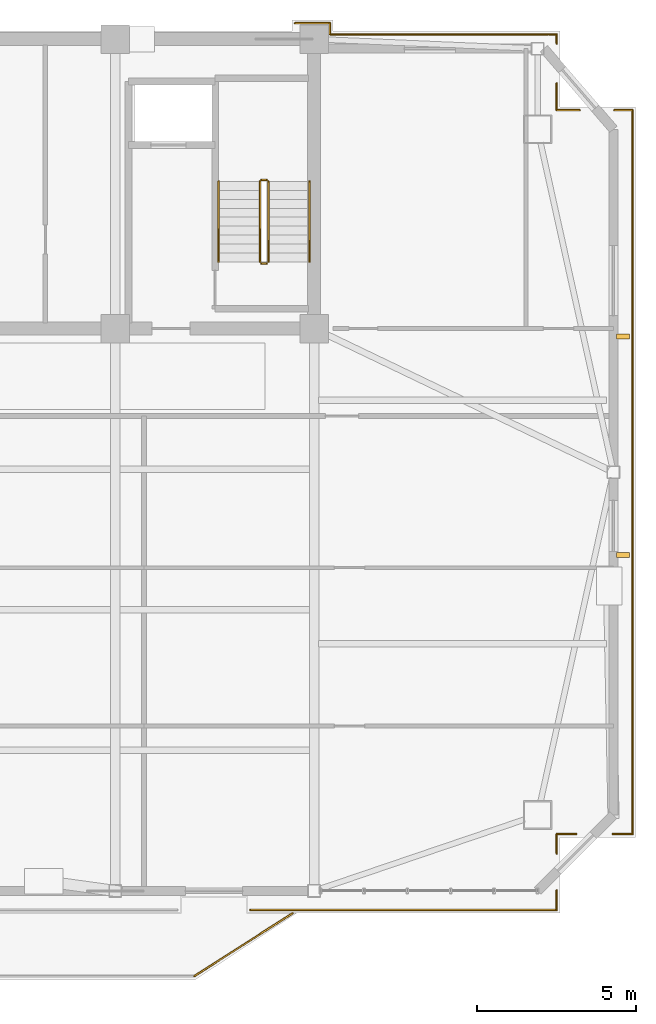
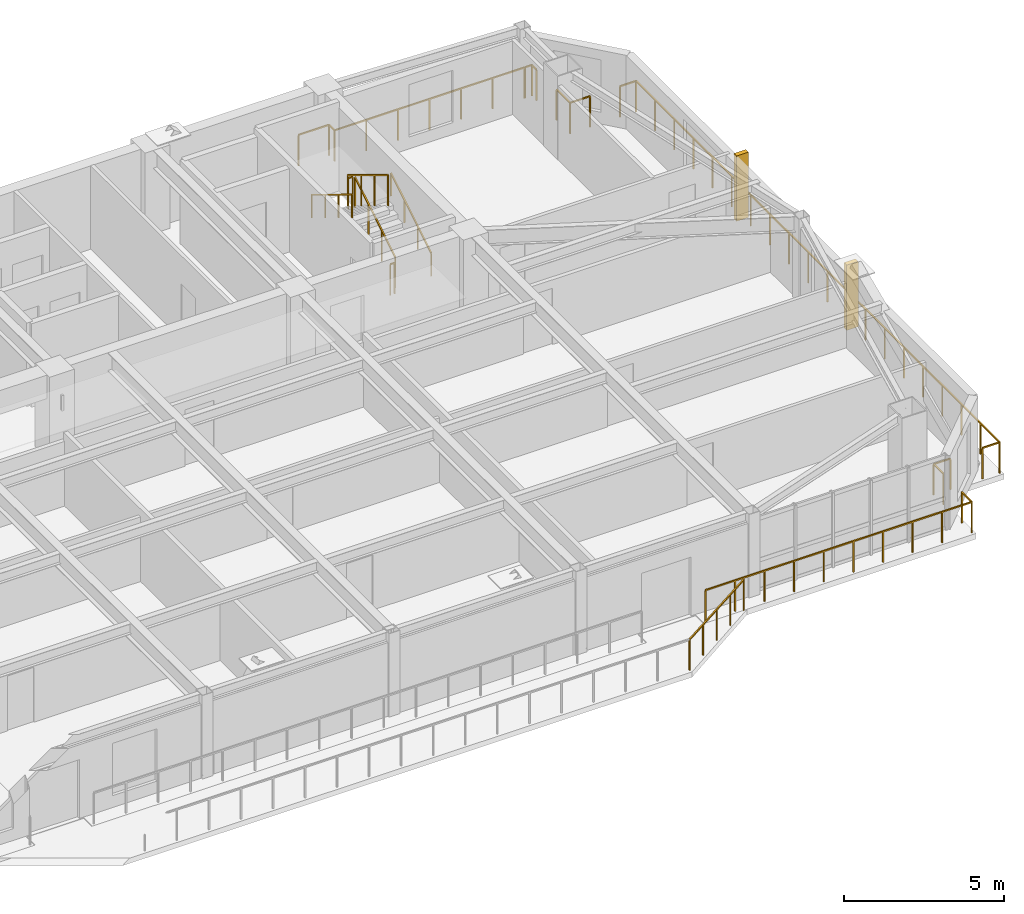
# One storey, part 13 of 13: 21 railings, 2 shading devices.
"""IFC4 building model written with IfcOpenShell, lengths in metres."""

from ifc_helpers import new_model, si_unit, direction, frame, origin, origin_2d, place, context, subcontext, project, spatial, rectangle, extrude, source, transform, mapped, material, type_object, element, save


model = new_model("IFC4")

# Units and contexts
model_context = context("Model", 3, precision=1e-05, world=origin(), true_north=direction((0.0, 1.0)))
body_context = subcontext(model_context, "Body", "Model", "MODEL_VIEW")
ifc_project = project(units=[si_unit("LENGTHUNIT", "METRE"), si_unit("AREAUNIT", "SQUARE_METRE"), si_unit("VOLUMEUNIT", "CUBIC_METRE"), si_unit("PLANEANGLEUNIT", "RADIAN"), si_unit("MASSUNIT", "GRAM", prefix="KILO")], contexts=[model_context])

# Site, building, storey
site_placement = place(None, origin())
site = spatial("IfcSite", under=ifc_project, at=site_placement, CompositionType="ELEMENT")
building_placement = place(site_placement, origin())
building = spatial("IfcBuilding", under=site, at=building_placement, Name="Giltprow Tower", CompositionType="ELEMENT")
storey_placement = place(building_placement, frame((0.0, 0.0, 304.0)))
storey = spatial("IfcBuildingStorey", under=building, at=storey_placement, Name="L78", CompositionType="ELEMENT", Elevation=304.0)

# Railings
ifc_material = material(Name="Anodized bronze", Category="metal")
railing_type_1 = type_object("IfcRailingType", Name="RAIL-BALC-GUARD-1200", PredefinedType="BALUSTRADE", material=ifc_material)
railing_1_placement = place(storey_placement, frame((46.780029296875, 17.092041015625, 0.0)))
element("IfcRailing", 1, at=railing_1_placement, inside=storey, type_object=railing_type_1, Name="L78 Waterfront Balcony Balustrade Seg 3", PredefinedType="BALUSTRADE", context=body_context, shape_type="SweptSolid", body=[
    extrude(rectangle(XDim=0.048095703125, YDim=0.048095703125, at=origin_2d()), frame((0.0, 0.0, 1.17578125), z_axis=(0.842755646126, 0.538296313309, 0.0), x_axis=(-0.538296313309, 0.842755646126, 0.0)), (0.0, 0.0, 1.0), 3.67822265625),
    extrude(rectangle(XDim=0.0419921875, YDim=0.0419921875, at=origin_2d()), origin(), (0.0, 0.0, 1.0), 1.15185546875),
    extrude(rectangle(XDim=0.0419921875, YDim=0.0419921875, at=origin_2d()), frame((0.77490234375, 0.4951171875, 0.0)), (0.0, 0.0, 1.0), 1.15185546875),
    extrude(rectangle(XDim=0.0419921875, YDim=0.0419921875, at=origin_2d()), frame((1.5498046875, 0.989990234375, 0.0)), (0.0, 0.0, 1.0), 1.15185546875),
    extrude(rectangle(XDim=0.0419921875, YDim=0.0419921875, at=origin_2d()), frame((2.324951171875, 1.48486328125, 0.0)), (0.0, 0.0, 1.0), 1.15185546875),
    extrude(rectangle(XDim=0.0419921875, YDim=0.0419921875, at=origin_2d()), frame((3.099853515625, 1.97998046875, 0.0)), (0.0, 0.0, 1.0), 1.15185546875),
])
railing_2_placement = place(storey_placement, frame((60.56005859375, 44.31494140625, 0.0)))
element("IfcRailing", 2, at=railing_2_placement, inside=storey, type_object=railing_type_1, Name="L78 Corner Apron Edge Balustrade 1", PredefinedType="BALUSTRADE", context=body_context, shape_type="SweptSolid", body=[
    extrude(rectangle(XDim=0.048095703125, YDim=0.048095703125, at=origin_2d()), frame((0.0, 0.0, 1.17578125), z_axis=(0.0, -1.0, 0.0), x_axis=(1.0, 0.0, 0.0)), (0.0, 0.0, 1.0), 22.758056640625),
    extrude(rectangle(XDim=0.0419921875, YDim=0.0419921875, at=origin_2d()), origin(), (0.0, 0.0, 1.0), 1.15185546875),
    extrude(rectangle(XDim=0.0419921875, YDim=0.0419921875, at=origin_2d()), frame((0.0, -1.19775390625, 0.0)), (0.0, 0.0, 1.0), 1.15185546875),
    extrude(rectangle(XDim=0.0419921875, YDim=0.0419921875, at=origin_2d()), frame((0.0, -2.3955078125, 0.0)), (0.0, 0.0, 1.0), 1.15185546875),
    extrude(rectangle(XDim=0.0419921875, YDim=0.0419921875, at=origin_2d()), frame((0.0, -3.59326171875, 0.0)), (0.0, 0.0, 1.0), 1.15185546875),
    extrude(rectangle(XDim=0.0419921875, YDim=0.0419921875, at=origin_2d()), frame((0.0, -4.791259765625, 0.0)), (0.0, 0.0, 1.0), 1.15185546875),
    extrude(rectangle(XDim=0.0419921875, YDim=0.0419921875, at=origin_2d()), frame((0.0, -5.989013671875, 0.0)), (0.0, 0.0, 1.0), 1.15185546875),
    extrude(rectangle(XDim=0.0419921875, YDim=0.0419921875, at=origin_2d()), frame((0.0, -7.186767578125, 0.0)), (0.0, 0.0, 1.0), 1.15185546875),
    extrude(rectangle(XDim=0.0419921875, YDim=0.0419921875, at=origin_2d()), frame((0.0, -8.384521484375, 0.0)), (0.0, 0.0, 1.0), 1.15185546875),
    extrude(rectangle(XDim=0.0419921875, YDim=0.0419921875, at=origin_2d()), frame((0.0, -9.582275390625, 0.0)), (0.0, 0.0, 1.0), 1.15185546875),
    extrude(rectangle(XDim=0.0419921875, YDim=0.0419921875, at=origin_2d()), frame((0.0, -10.780029296875, 0.0)), (0.0, 0.0, 1.0), 1.15185546875),
    extrude(rectangle(XDim=0.0419921875, YDim=0.0419921875, at=origin_2d()), frame((0.0, -11.97802734375, 0.0)), (0.0, 0.0, 1.0), 1.15185546875),
    extrude(rectangle(XDim=0.0419921875, YDim=0.0419921875, at=origin_2d()), frame((0.0, -13.17578125, 0.0)), (0.0, 0.0, 1.0), 1.15185546875),
    extrude(rectangle(XDim=0.0419921875, YDim=0.0419921875, at=origin_2d()), frame((0.0, -14.37353515625, 0.0)), (0.0, 0.0, 1.0), 1.15185546875),
    extrude(rectangle(XDim=0.0419921875, YDim=0.0419921875, at=origin_2d()), frame((0.0, -15.5712890625, 0.0)), (0.0, 0.0, 1.0), 1.15185546875),
    extrude(rectangle(XDim=0.0419921875, YDim=0.0419921875, at=origin_2d()), frame((0.0, -16.76904296875, 0.0)), (0.0, 0.0, 1.0), 1.15185546875),
    extrude(rectangle(XDim=0.0419921875, YDim=0.0419921875, at=origin_2d()), frame((0.0, -17.966796875, 0.0)), (0.0, 0.0, 1.0), 1.15185546875),
    extrude(rectangle(XDim=0.0419921875, YDim=0.0419921875, at=origin_2d()), frame((0.0, -19.164794921875, 0.0)), (0.0, 0.0, 1.0), 1.15185546875),
    extrude(rectangle(XDim=0.0419921875, YDim=0.0419921875, at=origin_2d()), frame((0.0, -20.362548828125, 0.0)), (0.0, 0.0, 1.0), 1.15185546875),
    extrude(rectangle(XDim=0.0419921875, YDim=0.0419921875, at=origin_2d()), frame((0.0, -21.560302734375, 0.0)), (0.0, 0.0, 1.0), 1.15185546875),
    extrude(rectangle(XDim=0.0419921875, YDim=0.0419921875, at=origin_2d()), frame((0.0, -22.758056640625, 0.0)), (0.0, 0.0, 1.0), 1.15185546875),
])
railing_3_placement = place(storey_placement, frame((60.56005859375, 21.556884765625, 0.0)))
element("IfcRailing", 3, at=railing_3_placement, inside=storey, type_object=railing_type_1, Name="L78 Corner Apron Edge Balustrade 2", PredefinedType="BALUSTRADE", context=body_context, shape_type="SweptSolid", body=[
    extrude(rectangle(XDim=0.048095703125, YDim=0.048095703125, at=origin_2d()), frame((0.0, 0.0, 1.17578125), z_axis=(-1.0, 0.0, 0.0), x_axis=(0.0, -1.0, 0.0)), (0.0, 0.0, 1.0), 0.6201171875),
    extrude(rectangle(XDim=0.0419921875, YDim=0.0419921875, at=origin_2d()), origin(), (0.0, 0.0, 1.0), 1.15185546875),
    extrude(rectangle(XDim=0.0419921875, YDim=0.0419921875, at=origin_2d()), frame((-0.6201171875, 0.0, 0.0)), (0.0, 0.0, 1.0), 1.15185546875),
])
railing_4_placement = place(storey_placement, frame((58.780029296875, 21.556884765625, 0.0)))
element("IfcRailing", 4, at=railing_4_placement, inside=storey, type_object=railing_type_1, Name="L78 Corner Apron Edge Balustrade 3", PredefinedType="BALUSTRADE", context=body_context, shape_type="SweptSolid", body=[
    extrude(rectangle(XDim=0.048095703125, YDim=0.048095703125, at=origin_2d()), frame((0.0, 0.0, 1.17578125), z_axis=(-1.0, 0.0, 0.0), x_axis=(0.0, -1.0, 0.0)), (0.0, 0.0, 1.0), 0.60400390625),
    extrude(rectangle(XDim=0.0419921875, YDim=0.0419921875, at=origin_2d()), origin(), (0.0, 0.0, 1.0), 1.15185546875),
    extrude(rectangle(XDim=0.0419921875, YDim=0.0419921875, at=origin_2d()), frame((-0.60400390625, 0.0, 0.0)), (0.0, 0.0, 1.0), 1.15185546875),
])
railing_5_placement = place(storey_placement, frame((58.176025390625, 21.556884765625, 0.0)))
element("IfcRailing", 5, at=railing_5_placement, inside=storey, type_object=railing_type_1, Name="L78 Corner Apron Edge Balustrade 4", PredefinedType="BALUSTRADE", context=body_context, shape_type="SweptSolid", body=[
    extrude(rectangle(XDim=0.048095703125, YDim=0.048095703125, at=origin_2d()), frame((0.0, 0.0, 1.17578125), z_axis=(0.0, -1.0, 0.0), x_axis=(1.0, 0.0, 0.0)), (0.0, 0.0, 1.0), 0.60400390625),
    extrude(rectangle(XDim=0.0419921875, YDim=0.0419921875, at=origin_2d()), origin(), (0.0, 0.0, 1.0), 1.15185546875),
    extrude(rectangle(XDim=0.0419921875, YDim=0.0419921875, at=origin_2d()), frame((0.0, -0.60400390625, 0.0)), (0.0, 0.0, 1.0), 1.15185546875),
])
railing_6_placement = place(storey_placement, frame((58.176025390625, 19.79296875, 0.0)))
element("IfcRailing", 6, at=railing_6_placement, inside=storey, type_object=railing_type_1, Name="L78 Corner Apron Edge Balustrade 5", PredefinedType="BALUSTRADE", context=body_context, shape_type="SweptSolid", body=[
    extrude(rectangle(XDim=0.048095703125, YDim=0.048095703125, at=origin_2d()), frame((0.0, 0.0, 1.17578125), z_axis=(0.0, -1.0, 0.0), x_axis=(1.0, 0.0, 0.0)), (0.0, 0.0, 1.0), 0.620849609375),
    extrude(rectangle(XDim=0.0419921875, YDim=0.0419921875, at=origin_2d()), origin(), (0.0, 0.0, 1.0), 1.15185546875),
    extrude(rectangle(XDim=0.0419921875, YDim=0.0419921875, at=origin_2d()), frame((0.0, -0.620849609375, 0.0)), (0.0, 0.0, 1.0), 1.15185546875),
])
railing_7_placement = place(storey_placement, frame((58.176025390625, 19.172119140625, 0.0)))
element("IfcRailing", 7, at=railing_7_placement, inside=storey, type_object=railing_type_1, Name="L78 Corner Apron Edge Balustrade 6", PredefinedType="BALUSTRADE", context=body_context, shape_type="SweptSolid", body=[
    extrude(rectangle(XDim=0.048095703125, YDim=0.048095703125, at=origin_2d()), frame((0.0, 0.0, 1.17578125), z_axis=(-1.0, 0.0, 0.0), x_axis=(0.0, -1.0, 0.0)), (0.0, 0.0, 1.0), 9.6259765625),
    extrude(rectangle(XDim=0.0419921875, YDim=0.0419921875, at=origin_2d()), origin(), (0.0, 0.0, 1.0), 1.15185546875),
    extrude(rectangle(XDim=0.0419921875, YDim=0.0419921875, at=origin_2d()), frame((-1.069580078125, 0.0, 0.0)), (0.0, 0.0, 1.0), 1.15185546875),
    extrude(rectangle(XDim=0.0419921875, YDim=0.0419921875, at=origin_2d()), frame((-2.13916015625, 0.0, 0.0)), (0.0, 0.0, 1.0), 1.15185546875),
    extrude(rectangle(XDim=0.0419921875, YDim=0.0419921875, at=origin_2d()), frame((-3.208740234375, 0.0, 0.0)), (0.0, 0.0, 1.0), 1.15185546875),
    extrude(rectangle(XDim=0.0419921875, YDim=0.0419921875, at=origin_2d()), frame((-4.2783203125, 0.0, 0.0)), (0.0, 0.0, 1.0), 1.15185546875),
    extrude(rectangle(XDim=0.0419921875, YDim=0.0419921875, at=origin_2d()), frame((-5.34765625, 0.0, 0.0)), (0.0, 0.0, 1.0), 1.15185546875),
    extrude(rectangle(XDim=0.0419921875, YDim=0.0419921875, at=origin_2d()), frame((-6.417236328125, 0.0, 0.0)), (0.0, 0.0, 1.0), 1.15185546875),
    extrude(rectangle(XDim=0.0419921875, YDim=0.0419921875, at=origin_2d()), frame((-7.48681640625, 0.0, 0.0)), (0.0, 0.0, 1.0), 1.15185546875),
    extrude(rectangle(XDim=0.0419921875, YDim=0.0419921875, at=origin_2d()), frame((-8.556396484375, 0.0, 0.0)), (0.0, 0.0, 1.0), 1.15185546875),
    extrude(rectangle(XDim=0.0419921875, YDim=0.0419921875, at=origin_2d()), frame((-9.6259765625, 0.0, 0.0)), (0.0, 0.0, 1.0), 1.15185546875),
])
railing_8_placement = place(storey_placement, frame((49.949951171875, 47.050048828125, 0.0)))
element("IfcRailing", 8, at=railing_8_placement, inside=storey, type_object=railing_type_1, Name="L78 Corner Apron Edge Balustrade 22", PredefinedType="BALUSTRADE", context=body_context, shape_type="SweptSolid", body=[
    extrude(rectangle(XDim=0.048095703125, YDim=0.048095703125, at=origin_2d()), frame((0.0, 0.0, 1.17578125), z_axis=(1.0, 0.0, 0.0), x_axis=(0.0, 1.0, 0.0)), (0.0, 0.0, 1.0), 1.10009765625),
    extrude(rectangle(XDim=0.0419921875, YDim=0.0419921875, at=origin_2d()), origin(), (0.0, 0.0, 1.0), 1.15185546875),
    extrude(rectangle(XDim=0.0419921875, YDim=0.0419921875, at=origin_2d()), frame((1.10009765625, 0.0, 0.0)), (0.0, 0.0, 1.0), 1.15185546875),
])
railing_9_placement = place(storey_placement, frame((51.050048828125, 47.050048828125, 0.0)))
element("IfcRailing", 9, at=railing_9_placement, inside=storey, type_object=railing_type_1, Name="L78 Corner Apron Edge Balustrade 23", PredefinedType="BALUSTRADE", context=body_context, shape_type="SweptSolid", body=[
    extrude(rectangle(XDim=0.048095703125, YDim=0.048095703125, at=origin_2d()), frame((0.0, 0.0, 1.17578125), z_axis=(0.0, -1.0, 0.0), x_axis=(1.0, 0.0, 0.0)), (0.0, 0.0, 1.0), 0.35009765625),
    extrude(rectangle(XDim=0.0419921875, YDim=0.0419921875, at=origin_2d()), origin(), (0.0, 0.0, 1.0), 1.15185546875),
    extrude(rectangle(XDim=0.0419921875, YDim=0.0419921875, at=origin_2d()), frame((0.0, -0.35009765625, 0.0)), (0.0, 0.0, 1.0), 1.15185546875),
])
railing_10_placement = place(storey_placement, frame((51.050048828125, 46.699951171875, 0.0)))
element("IfcRailing", 10, at=railing_10_placement, inside=storey, type_object=railing_type_1, Name="L78 Corner Apron Edge Balustrade 24", PredefinedType="BALUSTRADE", context=body_context, shape_type="SweptSolid", body=[
    extrude(rectangle(XDim=0.048095703125, YDim=0.048095703125, at=origin_2d()), frame((0.0, 0.0, 1.17578125), z_axis=(1.0, 0.0, 0.0), x_axis=(0.0, 1.0, 0.0)), (0.0, 0.0, 1.0), 6.848876953125),
    extrude(rectangle(XDim=0.0419921875, YDim=0.0419921875, at=origin_2d()), origin(), (0.0, 0.0, 1.0), 1.15185546875),
    extrude(rectangle(XDim=0.0419921875, YDim=0.0419921875, at=origin_2d()), frame((1.1416015625, 0.0, 0.0)), (0.0, 0.0, 1.0), 1.15185546875),
    extrude(rectangle(XDim=0.0419921875, YDim=0.0419921875, at=origin_2d()), frame((2.282958984375, 0.0, 0.0)), (0.0, 0.0, 1.0), 1.15185546875),
    extrude(rectangle(XDim=0.0419921875, YDim=0.0419921875, at=origin_2d()), frame((3.42431640625, 0.0, 0.0)), (0.0, 0.0, 1.0), 1.15185546875),
    extrude(rectangle(XDim=0.0419921875, YDim=0.0419921875, at=origin_2d()), frame((4.56591796875, 0.0, 0.0)), (0.0, 0.0, 1.0), 1.15185546875),
    extrude(rectangle(XDim=0.0419921875, YDim=0.0419921875, at=origin_2d()), frame((5.70751953125, 0.0, 0.0)), (0.0, 0.0, 1.0), 1.15185546875),
    extrude(rectangle(XDim=0.0419921875, YDim=0.0419921875, at=origin_2d()), frame((6.848876953125, 0.0, 0.0)), (0.0, 0.0, 1.0), 1.15185546875),
])
railing_11_placement = place(storey_placement, frame((57.927978515625, 46.699951171875, 0.0)))
element("IfcRailing", 11, at=railing_11_placement, inside=storey, type_object=railing_type_1, Name="L78 Corner Apron Edge Balustrade 25", PredefinedType="BALUSTRADE", context=body_context, shape_type="SweptSolid", body=[
    extrude(rectangle(XDim=0.048095703125, YDim=0.048095703125, at=origin_2d()), frame((0.0, 0.0, 1.17578125), z_axis=(1.0, 0.0, 0.0), x_axis=(0.0, 1.0, 0.0)), (0.0, 0.0, 1.0), 0.248046875),
    extrude(rectangle(XDim=0.0419921875, YDim=0.0419921875, at=origin_2d()), origin(), (0.0, 0.0, 1.0), 1.15185546875),
    extrude(rectangle(XDim=0.0419921875, YDim=0.0419921875, at=origin_2d()), frame((0.248046875, 0.0, 0.0)), (0.0, 0.0, 1.0), 1.15185546875),
])
railing_12_placement = place(storey_placement, frame((58.176025390625, 46.699951171875, 0.0)))
element("IfcRailing", 12, at=railing_12_placement, inside=storey, type_object=railing_type_1, Name="L78 Corner Apron Edge Balustrade 26", PredefinedType="BALUSTRADE", context=body_context, shape_type="SweptSolid", body=[
    extrude(rectangle(XDim=0.048095703125, YDim=0.048095703125, at=origin_2d()), frame((0.0, 0.0, 1.17578125), z_axis=(0.0, -1.0, 0.0), x_axis=(1.0, 0.0, 0.0)), (0.0, 0.0, 1.0), 0.286865234375),
    extrude(rectangle(XDim=0.0419921875, YDim=0.0419921875, at=origin_2d()), origin(), (0.0, 0.0, 1.0), 1.15185546875),
    extrude(rectangle(XDim=0.0419921875, YDim=0.0419921875, at=origin_2d()), frame((0.0, -0.286865234375, 0.0)), (0.0, 0.0, 1.0), 1.15185546875),
])
railing_13_placement = place(storey_placement, frame((58.176025390625, 45.156982421875, 0.0)))
element("IfcRailing", 13, at=railing_13_placement, inside=storey, type_object=railing_type_1, Name="L78 Corner Apron Edge Balustrade 27", PredefinedType="BALUSTRADE", context=body_context, shape_type="SweptSolid", body=[
    extrude(rectangle(XDim=0.048095703125, YDim=0.048095703125, at=origin_2d()), frame((0.0, 0.0, 1.17578125), z_axis=(0.0, -1.0, 0.0), x_axis=(1.0, 0.0, 0.0)), (0.0, 0.0, 1.0), 0.842041015625),
    extrude(rectangle(XDim=0.0419921875, YDim=0.0419921875, at=origin_2d()), origin(), (0.0, 0.0, 1.0), 1.15185546875),
    extrude(rectangle(XDim=0.0419921875, YDim=0.0419921875, at=origin_2d()), frame((0.0, -0.842041015625, 0.0)), (0.0, 0.0, 1.0), 1.15185546875),
])
railing_14_placement = place(storey_placement, frame((58.176025390625, 44.31494140625, 0.0)))
element("IfcRailing", 14, at=railing_14_placement, inside=storey, type_object=railing_type_1, Name="L78 Corner Apron Edge Balustrade 28", PredefinedType="BALUSTRADE", context=body_context, shape_type="SweptSolid", body=[
    extrude(rectangle(XDim=0.048095703125, YDim=0.048095703125, at=origin_2d()), frame((0.0, 0.0, 1.17578125), z_axis=(1.0, 0.0, 0.0), x_axis=(0.0, 1.0, 0.0)), (0.0, 0.0, 1.0), 0.72607421875),
    extrude(rectangle(XDim=0.0419921875, YDim=0.0419921875, at=origin_2d()), origin(), (0.0, 0.0, 1.0), 1.15185546875),
    extrude(rectangle(XDim=0.0419921875, YDim=0.0419921875, at=origin_2d()), frame((0.72607421875, 0.0, 0.0)), (0.0, 0.0, 1.0), 1.15185546875),
])
railing_15_placement = place(storey_placement, frame((59.98388671875, 44.31494140625, 0.0)))
element("IfcRailing", 15, at=railing_15_placement, inside=storey, type_object=railing_type_1, Name="L78 Corner Apron Edge Balustrade 29", PredefinedType="BALUSTRADE", context=body_context, shape_type="SweptSolid", body=[
    extrude(rectangle(XDim=0.048095703125, YDim=0.048095703125, at=origin_2d()), frame((0.0, 0.0, 1.17578125), z_axis=(1.0, 0.0, 0.0), x_axis=(0.0, 1.0, 0.0)), (0.0, 0.0, 1.0), 0.576171875),
    extrude(rectangle(XDim=0.0419921875, YDim=0.0419921875, at=origin_2d()), origin(), (0.0, 0.0, 1.0), 1.15185546875),
    extrude(rectangle(XDim=0.0419921875, YDim=0.0419921875, at=origin_2d()), frame((0.576171875, 0.0, 0.0)), (0.0, 0.0, 1.0), 1.15185546875),
])
railing_type_2 = type_object("IfcRailingType", Name="RAIL-STAIR-GUARD-1200", PredefinedType="GUARDRAIL", material=ifc_material)
railing_16_placement = place(storey_placement, frame((49.110107421875, 39.550048828125, 0.169921875)))
element("IfcRailing", 16, at=railing_16_placement, inside=storey, type_object=railing_type_2, Name="L78 ST-3 stair guard 1", PredefinedType="GUARDRAIL", context=body_context, shape_type="SweptSolid", body=[
    extrude(rectangle(XDim=0.048095703125, YDim=0.048095703125, at=origin_2d()), frame((0.0, 0.0, 1.17578125), z_axis=(0.0, 0.85478489116, 0.518982456201), x_axis=(-1.0, 0.0, 0.0)), (0.0, 0.0, 1.0), 2.9482421875),
    extrude(rectangle(XDim=0.0419921875, YDim=0.0419921875, at=origin_2d()), origin(), (0.0, 0.0, 1.0), 1.15185546875),
    extrude(rectangle(XDim=0.0419921875, YDim=0.0419921875, at=origin_2d()), frame((0.0, 0.840087890625, 0.510009765625)), (0.0, 0.0, 1.0), 1.15185546875),
    extrude(rectangle(XDim=0.0419921875, YDim=0.0419921875, at=origin_2d()), frame((0.0, 1.679931640625, 1.02001953125)), (0.0, 0.0, 1.0), 1.15185546875),
    extrude(rectangle(XDim=0.0419921875, YDim=0.0419921875, at=origin_2d()), frame((0.0, 2.52001953125, 1.530029296875)), (0.0, 0.0, 1.0), 1.15185546875),
])
railing_17_placement = place(storey_placement, frame((49.06005859375, 42.1201171875, 1.699951171875)))
element("IfcRailing", 17, at=railing_17_placement, inside=storey, type_object=railing_type_2, Name="L78 ST-3 stair guard 2", PredefinedType="GUARDRAIL", context=body_context, shape_type="SweptSolid", body=[
    extrude(rectangle(XDim=0.048095703125, YDim=0.048095703125, at=origin_2d()), frame((0.0, 0.0, 1.17578125), z_axis=(-1.0, 0.0, 0.0), x_axis=(0.0, -1.0, 0.0)), (0.0, 0.0, 1.0), 0.16015625),
    extrude(rectangle(XDim=0.0419921875, YDim=0.0419921875, at=origin_2d()), origin(), (0.0, 0.0, 1.0), 1.15185546875),
    extrude(rectangle(XDim=0.0419921875, YDim=0.0419921875, at=origin_2d()), frame((-0.16015625, 0.0, 0.0)), (0.0, 0.0, 1.0), 1.15185546875),
])
railing_18_placement = place(storey_placement, frame((48.85009765625, 42.070068359375, 1.8701171875)))
element("IfcRailing", 18, at=railing_18_placement, inside=storey, type_object=railing_type_2, Name="L78 ST-3 stair guard 3", PredefinedType="GUARDRAIL", context=body_context, shape_type="SweptSolid", body=[
    extrude(rectangle(XDim=0.048095703125, YDim=0.048095703125, at=origin_2d()), frame((0.0, 0.0, 1.17578125), z_axis=(0.0, -0.854821627497, 0.518921945155), x_axis=(1.0, 0.0, 0.0)), (0.0, 0.0, 1.0), 2.947998046875),
    extrude(rectangle(XDim=0.0419921875, YDim=0.0419921875, at=origin_2d()), origin(), (0.0, 0.0, 1.0), 1.15185546875),
    extrude(rectangle(XDim=0.0419921875, YDim=0.0419921875, at=origin_2d()), frame((0.0, -0.840087890625, 0.510009765625)), (0.0, 0.0, 1.0), 1.15185546875),
    extrude(rectangle(XDim=0.0419921875, YDim=0.0419921875, at=origin_2d()), frame((0.0, -1.679931640625, 1.019775390625)), (0.0, 0.0, 1.0), 1.15185546875),
    extrude(rectangle(XDim=0.0419921875, YDim=0.0419921875, at=origin_2d()), frame((0.0, -2.52001953125, 1.52978515625)), (0.0, 0.0, 1.0), 1.15185546875),
])
railing_19_placement = place(storey_placement, frame((49.06005859375, 39.5, 0.0)))
element("IfcRailing", 19, at=railing_19_placement, inside=storey, type_object=railing_type_2, Name="L78 ST-3 stair guard 4", PredefinedType="GUARDRAIL", context=body_context, shape_type="SweptSolid", body=[
    extrude(rectangle(XDim=0.048095703125, YDim=0.048095703125, at=origin_2d()), frame((0.0, 0.0, 1.17578125), z_axis=(-1.0, 0.0, 0.0), x_axis=(0.0, -1.0, 0.0)), (0.0, 0.0, 1.0), 0.16015625),
    extrude(rectangle(XDim=0.0419921875, YDim=0.0419921875, at=origin_2d()), origin(), (0.0, 0.0, 1.0), 1.15185546875),
    extrude(rectangle(XDim=0.0419921875, YDim=0.0419921875, at=origin_2d()), frame((-0.16015625, 0.0, 0.0)), (0.0, 0.0, 1.0), 1.15185546875),
])
railing_type_3 = type_object("IfcRailingType", Name="RAIL-STAIR-HAND-900", PredefinedType="HANDRAIL", material=ifc_material)
railing_20_placement = place(storey_placement, frame((50.409912109375, 39.550048828125, 0.169921875)))
element("IfcRailing", 20, at=railing_20_placement, inside=storey, type_object=railing_type_3, Name="L78 ST-3 stair handrail 1", PredefinedType="HANDRAIL", context=body_context, shape_type="SweptSolid", body=[
    extrude(rectangle(XDim=0.048095703125, YDim=0.048095703125, at=origin_2d()), frame((0.0, 0.0, 0.8759765625), z_axis=(0.0, 0.85478489116, 0.518982456201), x_axis=(-1.0, 0.0, 0.0)), (0.0, 0.0, 1.0), 2.9482421875),
    extrude(rectangle(XDim=0.0419921875, YDim=0.0419921875, at=origin_2d()), origin(), (0.0, 0.0, 1.0), 0.851806640625),
    extrude(rectangle(XDim=0.0419921875, YDim=0.0419921875, at=origin_2d()), frame((0.0, 0.840087890625, 0.510009765625)), (0.0, 0.0, 1.0), 0.851806640625),
    extrude(rectangle(XDim=0.0419921875, YDim=0.0419921875, at=origin_2d()), frame((0.0, 1.679931640625, 1.02001953125)), (0.0, 0.0, 1.0), 0.851806640625),
    extrude(rectangle(XDim=0.0419921875, YDim=0.0419921875, at=origin_2d()), frame((0.0, 2.52001953125, 1.530029296875)), (0.0, 0.0, 1.0), 0.851806640625),
])
railing_21_placement = place(storey_placement, frame((47.550048828125, 42.070068359375, 1.8701171875)))
element("IfcRailing", 21, at=railing_21_placement, inside=storey, type_object=railing_type_3, Name="L78 ST-3 stair handrail 2", PredefinedType="HANDRAIL", context=body_context, shape_type="SweptSolid", body=[
    extrude(rectangle(XDim=0.048095703125, YDim=0.048095703125, at=origin_2d()), frame((0.0, 0.0, 0.8759765625), z_axis=(0.0, -0.854821627497, 0.518921945155), x_axis=(1.0, 0.0, 0.0)), (0.0, 0.0, 1.0), 2.947998046875),
    extrude(rectangle(XDim=0.0419921875, YDim=0.0419921875, at=origin_2d()), origin(), (0.0, 0.0, 1.0), 0.851806640625),
    extrude(rectangle(XDim=0.0419921875, YDim=0.0419921875, at=origin_2d()), frame((0.0, -0.840087890625, 0.510009765625)), (0.0, 0.0, 1.0), 0.851806640625),
    extrude(rectangle(XDim=0.0419921875, YDim=0.0419921875, at=origin_2d()), frame((0.0, -1.679931640625, 1.019775390625)), (0.0, 0.0, 1.0), 0.851806640625),
    extrude(rectangle(XDim=0.0419921875, YDim=0.0419921875, at=origin_2d()), frame((0.0, -2.52001953125, 1.52978515625)), (0.0, 0.0, 1.0), 0.851806640625),
])

# Shading devices
shading_device_type = type_object("IfcShadingDeviceType", Name="SHD-FIN-420", PredefinedType="USERDEFINED", material=ifc_material)
shared_shape = source(origin(), body_context, "Body", "SweptSolid", [
    extrude(rectangle(XDim=0.419921875, YDim=0.159912109375, at=origin_2d()), origin(), (0.0, 0.0, 1.0), 2.5),
])
for number, where, z_axis, x_axis, name in (
    (22, (60.260009765625, 30.326904296875, 0.35009765625), (0.0, 0.0, 1.0), (1.0, 0.0, 0.0), "L78 E Bronze Vertical Fin 1-1"),
    (23, (60.260009765625, 37.2060546875, 0.35009765625), (0.0, 0.0, 1.0), (1.0, 0.0, 0.0), "L78 E Bronze Vertical Fin 2-1"),
):
    element("IfcShadingDevice", number, at=place(storey_placement, frame(where, z_axis=z_axis, x_axis=x_axis)), inside=storey, type_object=shading_device_type, Name=name, ObjectType="FIN", PredefinedType="USERDEFINED", context=body_context, shape_type="MappedRepresentation", body=[
        mapped(shared_shape, transform((0.0, 0.0, 0.0), x_axis=(1.0, 0.0, 0.0), y_axis=(0.0, 1.0, 0.0), z_axis=(0.0, 0.0, 1.0), scale=1.0)),
    ])

save(model, "model.ifc")
